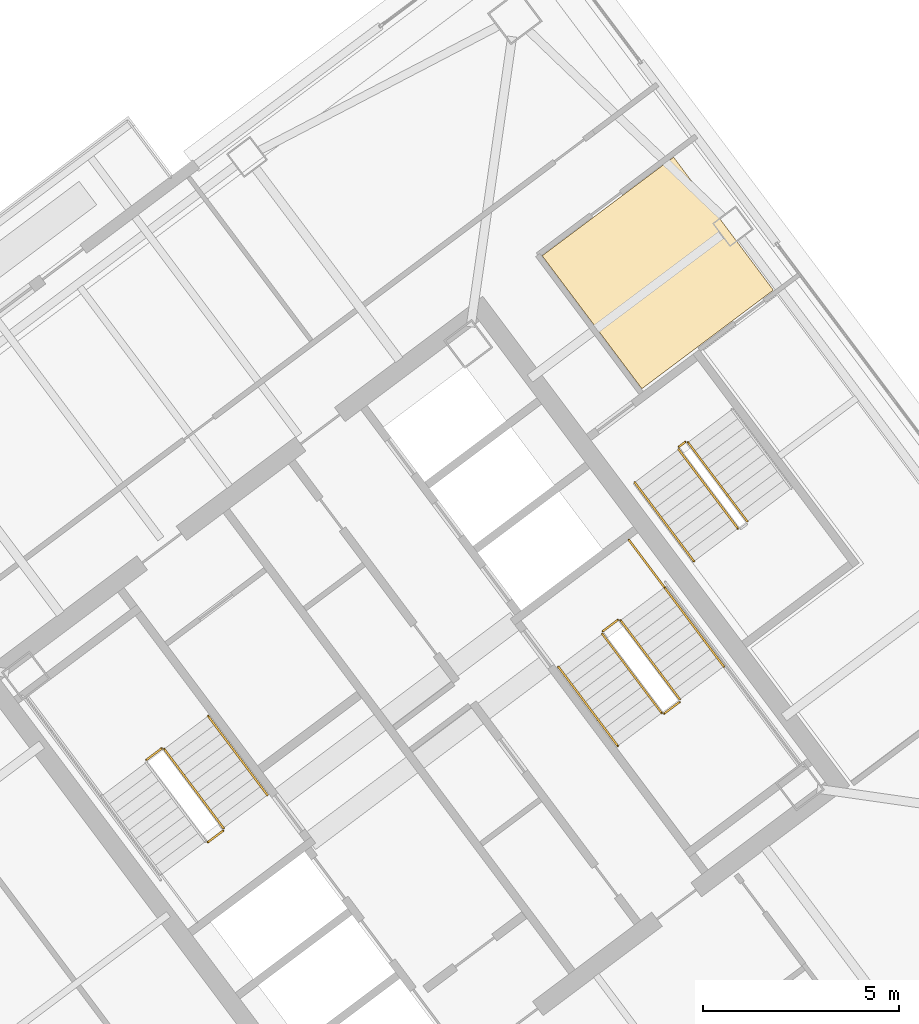
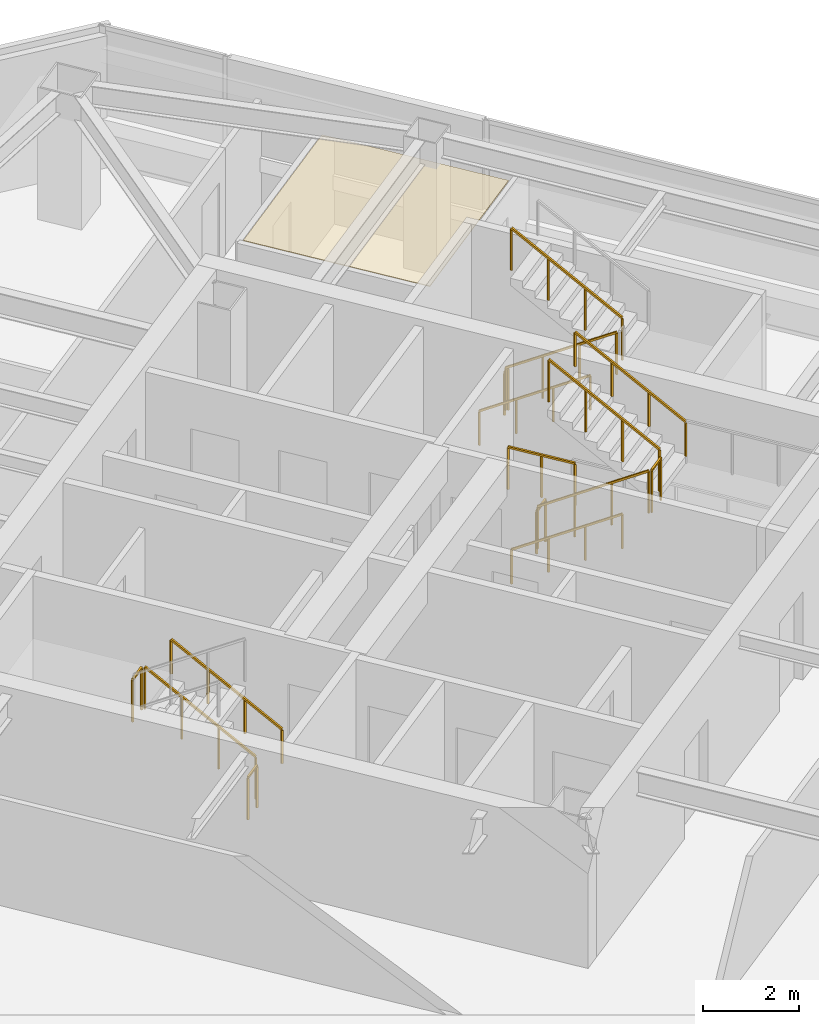
# One storey, part 34 of 36: 15 railings, 1 covering.
"""IFC4 building model written with IfcOpenShell, lengths in metres."""

from ifc_helpers import new_model, si_unit, direction, frame, origin, origin_2d, place, context, subcontext, project, spatial, polyline, rectangle, outline, extrude, material, layer, layer_set, type_object, element, save


model = new_model("IFC4")

# Units and contexts
model_context = context("Model", 3, precision=1e-05, world=origin(), true_north=direction((0.0, 1.0)))
body_context = subcontext(model_context, "Body", "Model", "MODEL_VIEW")
ifc_project = project(units=[si_unit("LENGTHUNIT", "METRE"), si_unit("AREAUNIT", "SQUARE_METRE"), si_unit("VOLUMEUNIT", "CUBIC_METRE"), si_unit("PLANEANGLEUNIT", "RADIAN"), si_unit("MASSUNIT", "GRAM", prefix="KILO")], contexts=[model_context])

# Site, building, storey
site_placement = place(None, origin())
site = spatial("IfcSite", under=ifc_project, at=site_placement, CompositionType="ELEMENT")
building_placement = place(site_placement, origin())
building = spatial("IfcBuilding", under=site, at=building_placement, Name="Tashvorn Skyway Center", CompositionType="ELEMENT")
storey_placement = place(building_placement, frame((0.0, 0.0, 236.14990234375)))
storey = spatial("IfcBuildingStorey", under=building, at=storey_placement, Name="L64", CompositionType="ELEMENT", Elevation=236.14990234375)

# Covering
ifc_material_1 = material(Name="Mineral-fibre acoustic ceiling tile on suspended grid")
ifc_layer = layer(ifc_material_1, 0.02001953125)
ifc_layer_set = layer_set([ifc_layer], Name="Mineral-fibre acoustic ceiling tile on suspended grid")
covering_type = type_object("IfcCoveringType", Name="COV-CEIL-20", PredefinedType="CEILING", material=ifc_layer_set)
covering_placement = place(storey_placement, frame((0.0, 0.0, 2.703125)))
element("IfcCovering", 1, at=covering_placement, inside=storey, type_object=covering_type, Name="Tower 2 L64 Executive Suite Acoustic Ceiling", PredefinedType="CEILING", context=body_context, shape_type="SweptSolid", body=[
    extrude(outline(polyline([(119.840087890625, 40.72998046875), (117.2958984375, 44.1220703125), (120.64794921875, 46.635986328125), (123.19189453125, 43.243896484375), (119.840087890625, 40.72998046875)])), origin(), (0.0, 0.0, 1.0), 0.02001953125),
])

# Railings
ifc_material_2 = material(Name="Brushed stainless steel 316", Category="steel")
railing_type_1 = type_object("IfcRailingType", Name="RAIL-HAND-920", PredefinedType="HANDRAIL", material=ifc_material_2)
railing_1_placement = place(storey_placement, frame((110.2880859375, 30.365966796875, 0.177490234375)))
element("IfcRailing", 2, at=railing_1_placement, inside=storey, type_object=railing_type_1, Name="L64 ST-T2-1 stair handrail 1", PredefinedType="HANDRAIL", context=body_context, shape_type="SweptSolid", body=[
    extrude(rectangle(XDim=0.048095703125, YDim=0.048095703125, at=origin_2d()), frame((0.0, 0.0, 0.8759765625), z_axis=(-0.506779409603, 0.675651334276, 0.53541563714), x_axis=(-0.799976749893, -0.600030998891, 0.0)), (0.0, 0.0, 1.0), 2.98388671875),
    extrude(rectangle(XDim=0.0419921875, YDim=0.0419921875, at=origin_2d()), origin(), (0.0, 0.0, 1.0), 0.851806640625),
    extrude(rectangle(XDim=0.0419921875, YDim=0.0419921875, at=origin_2d()), frame((-0.504150390625, 0.672119140625, 0.532470703125)), (0.0, 0.0, 1.0), 0.851806640625),
    extrude(rectangle(XDim=0.0419921875, YDim=0.0419921875, at=origin_2d()), frame((-1.008056640625, 1.343994140625, 1.065185546875)), (0.0, 0.0, 1.0), 0.851806640625),
    extrude(rectangle(XDim=0.0419921875, YDim=0.0419921875, at=origin_2d()), frame((-1.51220703125, 2.01611328125, 1.59765625)), (0.0, 0.0, 1.0), 0.851806640625),
])
railing_2_placement = place(storey_placement, frame((117.7119140625, 33.634033203125, 0.177490234375)))
element("IfcRailing", 3, at=railing_2_placement, inside=storey, type_object=railing_type_1, Name="L64 ST-T2-2 stair handrail 1", PredefinedType="HANDRAIL", context=body_context, shape_type="SweptSolid", body=[
    extrude(rectangle(XDim=0.048095703125, YDim=0.048095703125, at=origin_2d()), frame((0.0, 0.0, 0.8759765625), z_axis=(0.506779409603, -0.675651334276, 0.53541563714), x_axis=(0.799976749893, 0.600030998891, 0.0)), (0.0, 0.0, 1.0), 2.98388671875),
    extrude(rectangle(XDim=0.0419921875, YDim=0.0419921875, at=origin_2d()), origin(), (0.0, 0.0, 1.0), 0.851806640625),
    extrude(rectangle(XDim=0.0419921875, YDim=0.0419921875, at=origin_2d()), frame((0.504150390625, -0.672119140625, 0.532470703125)), (0.0, 0.0, 1.0), 0.851806640625),
    extrude(rectangle(XDim=0.0419921875, YDim=0.0419921875, at=origin_2d()), frame((1.008056640625, -1.343994140625, 1.065185546875)), (0.0, 0.0, 1.0), 0.851806640625),
    extrude(rectangle(XDim=0.0419921875, YDim=0.0419921875, at=origin_2d()), frame((1.51220703125, -2.01611328125, 1.59765625)), (0.0, 0.0, 1.0), 0.851806640625),
])
railing_3_placement = place(storey_placement, frame((121.927978515625, 33.64599609375, 1.95263671875)))
element("IfcRailing", 4, at=railing_3_placement, inside=storey, type_object=railing_type_1, Name="L64 ST-T2-2 stair handrail 2", PredefinedType="HANDRAIL", context=body_context, shape_type="SweptSolid", body=[
    extrude(rectangle(XDim=0.048095703125, YDim=0.048095703125, at=origin_2d()), frame((0.0, 0.0, 0.8759765625), z_axis=(-0.506740800098, 0.675708949977, 0.535379469569), x_axis=(-0.800023250257, -0.599968998406, 0.0)), (0.0, 0.0, 1.0), 2.983642578125),
    extrude(rectangle(XDim=0.0419921875, YDim=0.0419921875, at=origin_2d()), origin(), (0.0, 0.0, 1.0), 0.851806640625),
    extrude(rectangle(XDim=0.0419921875, YDim=0.0419921875, at=origin_2d()), frame((-0.50390625, 0.672119140625, 0.532470703125)), (0.0, 0.0, 1.0), 0.851806640625),
    extrude(rectangle(XDim=0.0419921875, YDim=0.0419921875, at=origin_2d()), frame((-1.008056640625, 1.343994140625, 1.06494140625)), (0.0, 0.0, 1.0), 0.851806640625),
    extrude(rectangle(XDim=0.0419921875, YDim=0.0419921875, at=origin_2d()), frame((-1.511962890625, 2.01611328125, 1.597412109375)), (0.0, 0.0, 1.0), 0.851806640625),
])
railing_4_placement = place(storey_placement, frame((119.656005859375, 38.342041015625, 0.177490234375)))
element("IfcRailing", 5, at=railing_4_placement, inside=storey, type_object=railing_type_1, Name="L64 ST-T2-3 stair handrail 1", PredefinedType="HANDRAIL", context=body_context, shape_type="SweptSolid", body=[
    extrude(rectangle(XDim=0.048095703125, YDim=0.048095703125, at=origin_2d()), frame((0.0, 0.0, 0.8759765625), z_axis=(0.506718600913, -0.675679348675, 0.535437836974), x_axis=(0.800023250257, 0.599968998406, 0.0)), (0.0, 0.0, 1.0), 2.98388671875),
    extrude(rectangle(XDim=0.0419921875, YDim=0.0419921875, at=origin_2d()), origin(), (0.0, 0.0, 1.0), 0.851806640625),
    extrude(rectangle(XDim=0.0419921875, YDim=0.0419921875, at=origin_2d()), frame((0.50390625, -0.672119140625, 0.532470703125)), (0.0, 0.0, 1.0), 0.851806640625),
    extrude(rectangle(XDim=0.0419921875, YDim=0.0419921875, at=origin_2d()), frame((1.008056640625, -1.343994140625, 1.065185546875)), (0.0, 0.0, 1.0), 0.851806640625),
    extrude(rectangle(XDim=0.0419921875, YDim=0.0419921875, at=origin_2d()), frame((1.511962890625, -2.01611328125, 1.59765625)), (0.0, 0.0, 1.0), 0.851806640625),
])
ifc_material_3 = material(Name="Painted galvanized steel S355", Category="steel")
railing_type_2 = type_object("IfcRailingType", Name="RAIL-STGUARD-1100", PredefinedType="GUARDRAIL", material=ifc_material_3)
railing_5_placement = place(storey_placement, frame((109.16796875, 29.52587890625, 0.177490234375)))
element("IfcRailing", 6, at=railing_5_placement, inside=storey, type_object=railing_type_2, Name="L64 ST-T2-1 stair guard 1", PredefinedType="GUARDRAIL", context=body_context, shape_type="SweptSolid", body=[
    extrude(rectangle(XDim=0.048095703125, YDim=0.048095703125, at=origin_2d()), frame((0.0, 0.0, 1.076171875), z_axis=(-0.506718600913, 0.675679348675, 0.535437836974), x_axis=(-0.800023250257, -0.599968998406, 0.0)), (0.0, 0.0, 1.0), 2.98388671875),
    extrude(rectangle(XDim=0.0419921875, YDim=0.0419921875, at=origin_2d()), origin(), (0.0, 0.0, 1.0), 1.052001953125),
    extrude(rectangle(XDim=0.0419921875, YDim=0.0419921875, at=origin_2d()), frame((-0.50390625, 0.672119140625, 0.532470703125)), (0.0, 0.0, 1.0), 1.052001953125),
    extrude(rectangle(XDim=0.0419921875, YDim=0.0419921875, at=origin_2d()), frame((-1.008056640625, 1.343994140625, 1.065185546875)), (0.0, 0.0, 1.0), 1.052001953125),
    extrude(rectangle(XDim=0.0419921875, YDim=0.0419921875, at=origin_2d()), frame((-1.511962890625, 2.01611328125, 1.59765625)), (0.0, 0.0, 1.0), 1.052001953125),
])
for number, where, name in (
    (7, (107.5859375, 31.552001953125, 1.775146484375), "L64 ST-T2-1 stair guard 2"),
    (8, (109.157958984375, 29.4560546875, 0.0), "L64 ST-T2-1 stair guard 5"),
):
    element("IfcRailing", number, at=place(storey_placement, frame(where)), inside=storey, type_object=railing_type_2, Name=name, PredefinedType="GUARDRAIL", context=body_context, shape_type="SweptSolid", body=[
        extrude(rectangle(XDim=0.048095703125, YDim=0.048095703125, at=origin_2d()), frame((0.0, 0.0, 1.076171875), z_axis=(-0.799938970639, -0.600081363861, 0.0), x_axis=(0.600081363861, -0.799938970639, 0.0)), (0.0, 0.0, 1.0), 0.47998046875),
        extrude(rectangle(XDim=0.0419921875, YDim=0.0419921875, at=origin_2d()), origin(), (0.0, 0.0, 1.0), 1.052001953125),
        extrude(rectangle(XDim=0.0419921875, YDim=0.0419921875, at=origin_2d()), frame((-0.384033203125, -0.2880859375, 0.0)), (0.0, 0.0, 1.0), 1.052001953125),
    ])
railing_6_placement = place(storey_placement, frame((118.83203125, 34.47412109375, 0.177490234375)))
element("IfcRailing", 9, at=railing_6_placement, inside=storey, type_object=railing_type_2, Name="L64 ST-T2-2 stair guard 1", PredefinedType="GUARDRAIL", context=body_context, shape_type="SweptSolid", body=[
    extrude(rectangle(XDim=0.048095703125, YDim=0.048095703125, at=origin_2d()), frame((0.0, 0.0, 1.076171875), z_axis=(0.506718600913, -0.675679348675, 0.535437836974), x_axis=(0.800023250257, 0.599968998406, 0.0)), (0.0, 0.0, 1.0), 2.98388671875),
    extrude(rectangle(XDim=0.0419921875, YDim=0.0419921875, at=origin_2d()), origin(), (0.0, 0.0, 1.0), 1.052001953125),
    extrude(rectangle(XDim=0.0419921875, YDim=0.0419921875, at=origin_2d()), frame((0.50390625, -0.672119140625, 0.532470703125)), (0.0, 0.0, 1.0), 1.052001953125),
    extrude(rectangle(XDim=0.0419921875, YDim=0.0419921875, at=origin_2d()), frame((1.008056640625, -1.343994140625, 1.065185546875)), (0.0, 0.0, 1.0), 1.052001953125),
    extrude(rectangle(XDim=0.0419921875, YDim=0.0419921875, at=origin_2d()), frame((1.511962890625, -2.01611328125, 1.59765625)), (0.0, 0.0, 1.0), 1.052001953125),
])
railing_7_placement = place(storey_placement, frame((120.4140625, 32.447998046875, 1.775146484375)))
element("IfcRailing", 10, at=railing_7_placement, inside=storey, type_object=railing_type_2, Name="L64 ST-T2-2 stair guard 2", PredefinedType="GUARDRAIL", context=body_context, shape_type="SweptSolid", body=[
    extrude(rectangle(XDim=0.048095703125, YDim=0.048095703125, at=origin_2d()), frame((0.0, 0.0, 1.076171875), z_axis=(0.799938970639, 0.600081363861, 0.0), x_axis=(-0.600081363861, 0.799938970639, 0.0)), (0.0, 0.0, 1.0), 0.47998046875),
    extrude(rectangle(XDim=0.0419921875, YDim=0.0419921875, at=origin_2d()), origin(), (0.0, 0.0, 1.0), 1.052001953125),
    extrude(rectangle(XDim=0.0419921875, YDim=0.0419921875, at=origin_2d()), frame((0.384033203125, 0.2880859375, 0.0)), (0.0, 0.0, 1.0), 1.052001953125),
])
railing_8_placement = place(storey_placement, frame((120.80810546875, 32.805908203125, 1.95263671875)))
element("IfcRailing", 11, at=railing_8_placement, inside=storey, type_object=railing_type_2, Name="L64 ST-T2-2 stair guard 4", PredefinedType="GUARDRAIL", context=body_context, shape_type="SweptSolid", body=[
    extrude(rectangle(XDim=0.048095703125, YDim=0.048095703125, at=origin_2d()), frame((0.0, 0.0, 1.076171875), z_axis=(-0.506801609611, 0.675680931896, 0.535357270211), x_axis=(-0.799976749893, -0.600030998891, 0.0)), (0.0, 0.0, 1.0), 2.98388671875),
    extrude(rectangle(XDim=0.0419921875, YDim=0.0419921875, at=origin_2d()), origin(), (0.0, 0.0, 1.0), 1.052001953125),
    extrude(rectangle(XDim=0.0419921875, YDim=0.0419921875, at=origin_2d()), frame((-0.504150390625, 0.672119140625, 0.532470703125)), (0.0, 0.0, 1.0), 1.052001953125),
    extrude(rectangle(XDim=0.0419921875, YDim=0.0419921875, at=origin_2d()), frame((-1.008056640625, 1.343994140625, 1.06494140625)), (0.0, 0.0, 1.0), 1.052001953125),
    extrude(rectangle(XDim=0.0419921875, YDim=0.0419921875, at=origin_2d()), frame((-1.51220703125, 2.01611328125, 1.597412109375)), (0.0, 0.0, 1.0), 1.052001953125),
])
railing_9_placement = place(storey_placement, frame((118.842041015625, 34.5439453125, 0.0)))
element("IfcRailing", 12, at=railing_9_placement, inside=storey, type_object=railing_type_2, Name="L64 ST-T2-2 stair guard 5", PredefinedType="GUARDRAIL", context=body_context, shape_type="SweptSolid", body=[
    extrude(rectangle(XDim=0.048095703125, YDim=0.048095703125, at=origin_2d()), frame((0.0, 0.0, 1.076171875), z_axis=(0.799938970639, 0.600081363861, 0.0), x_axis=(-0.600081363861, 0.799938970639, 0.0)), (0.0, 0.0, 1.0), 0.47998046875),
    extrude(rectangle(XDim=0.0419921875, YDim=0.0419921875, at=origin_2d()), origin(), (0.0, 0.0, 1.0), 1.052001953125),
    extrude(rectangle(XDim=0.0419921875, YDim=0.0419921875, at=origin_2d()), frame((0.384033203125, 0.2880859375, 0.0)), (0.0, 0.0, 1.0), 1.052001953125),
])
railing_10_placement = place(storey_placement, frame((119.50390625, 36.8779296875, 0.0)))
element("IfcRailing", 13, at=railing_10_placement, inside=storey, type_object=railing_type_2, Name="L64 ST-T2-2 stair guard 6", PredefinedType="GUARDRAIL", context=body_context, shape_type="SweptSolid", body=[
    extrude(rectangle(XDim=0.048095703125, YDim=0.048095703125, at=origin_2d()), frame((0.0, 0.0, 1.076171875), z_axis=(0.600102796382, -0.799922892393, 0.0), x_axis=(0.799922892393, 0.600102796382, 0.0)), (0.0, 0.0, 1.0), 1.52001953125),
    extrude(rectangle(XDim=0.0419921875, YDim=0.0419921875, at=origin_2d()), origin(), (0.0, 0.0, 1.0), 1.052001953125),
    extrude(rectangle(XDim=0.0419921875, YDim=0.0419921875, at=origin_2d()), frame((0.4560546875, -0.60791015625, 0.0)), (0.0, 0.0, 1.0), 1.052001953125),
    extrude(rectangle(XDim=0.0419921875, YDim=0.0419921875, at=origin_2d()), frame((0.912109375, -1.2158203125, 0.0)), (0.0, 0.0, 1.0), 1.052001953125),
])
railing_11_placement = place(storey_placement, frame((120.77587890625, 39.181884765625, 0.177490234375)))
element("IfcRailing", 14, at=railing_11_placement, inside=storey, type_object=railing_type_2, Name="L64 ST-T2-3 stair guard 1", PredefinedType="GUARDRAIL", context=body_context, shape_type="SweptSolid", body=[
    extrude(rectangle(XDim=0.048095703125, YDim=0.048095703125, at=origin_2d()), frame((0.0, 0.0, 1.076171875), z_axis=(0.506807425148, -0.675606863004, 0.535445235739), x_axis=(0.799941867976, 0.600077501544, 0.0)), (0.0, 0.0, 1.0), 2.98388671875),
    extrude(rectangle(XDim=0.0419921875, YDim=0.0419921875, at=origin_2d()), origin(), (0.0, 0.0, 1.0), 1.052001953125),
    extrude(rectangle(XDim=0.0419921875, YDim=0.0419921875, at=origin_2d()), frame((0.504150390625, -0.671875, 0.532470703125)), (0.0, 0.0, 1.0), 1.052001953125),
    extrude(rectangle(XDim=0.0419921875, YDim=0.0419921875, at=origin_2d()), frame((1.008056640625, -1.343994140625, 1.065185546875)), (0.0, 0.0, 1.0), 1.052001953125),
    extrude(rectangle(XDim=0.0419921875, YDim=0.0419921875, at=origin_2d()), frame((1.51220703125, -2.015869140625, 1.59765625)), (0.0, 0.0, 1.0), 1.052001953125),
])
railing_12_placement = place(storey_placement, frame((122.528076171875, 37.345947265625, 1.95263671875)))
element("IfcRailing", 15, at=railing_12_placement, inside=storey, type_object=railing_type_2, Name="L64 ST-T2-3 stair guard 3", PredefinedType="GUARDRAIL", context=body_context, shape_type="SweptSolid", body=[
    extrude(rectangle(XDim=0.048095703125, YDim=0.048095703125, at=origin_2d()), frame((0.0, 0.0, 1.076171875), z_axis=(-0.506740800098, 0.675708949977, 0.535379469569), x_axis=(-0.800023250257, -0.599968998406, 0.0)), (0.0, 0.0, 1.0), 2.983642578125),
    extrude(rectangle(XDim=0.0419921875, YDim=0.0419921875, at=origin_2d()), origin(), (0.0, 0.0, 1.0), 1.052001953125),
    extrude(rectangle(XDim=0.0419921875, YDim=0.0419921875, at=origin_2d()), frame((-0.50390625, 0.672119140625, 0.532470703125)), (0.0, 0.0, 1.0), 1.052001953125),
    extrude(rectangle(XDim=0.0419921875, YDim=0.0419921875, at=origin_2d()), frame((-1.008056640625, 1.343994140625, 1.06494140625)), (0.0, 0.0, 1.0), 1.052001953125),
    extrude(rectangle(XDim=0.0419921875, YDim=0.0419921875, at=origin_2d()), frame((-1.511962890625, 2.01611328125, 1.597412109375)), (0.0, 0.0, 1.0), 1.052001953125),
])
railing_13_placement = place(storey_placement, frame((120.785888671875, 39.251953125, 0.0)))
element("IfcRailing", 16, at=railing_13_placement, inside=storey, type_object=railing_type_2, Name="L64 ST-T2-3 stair guard 4", PredefinedType="GUARDRAIL", context=body_context, shape_type="SweptSolid", body=[
    extrude(rectangle(XDim=0.048095703125, YDim=0.048095703125, at=origin_2d()), frame((0.0, 0.0, 1.076171875), z_axis=(0.8, 0.6, 0.0), x_axis=(-0.6, 0.8, 0.0)), (0.0, 0.0, 1.0), 0.2001953125),
    extrude(rectangle(XDim=0.0419921875, YDim=0.0419921875, at=origin_2d()), origin(), (0.0, 0.0, 1.0), 1.052001953125),
    extrude(rectangle(XDim=0.0419921875, YDim=0.0419921875, at=origin_2d()), frame((0.16015625, 0.1201171875, 0.0)), (0.0, 0.0, 1.0), 1.052001953125),
])

save(model, "model.ifc")
